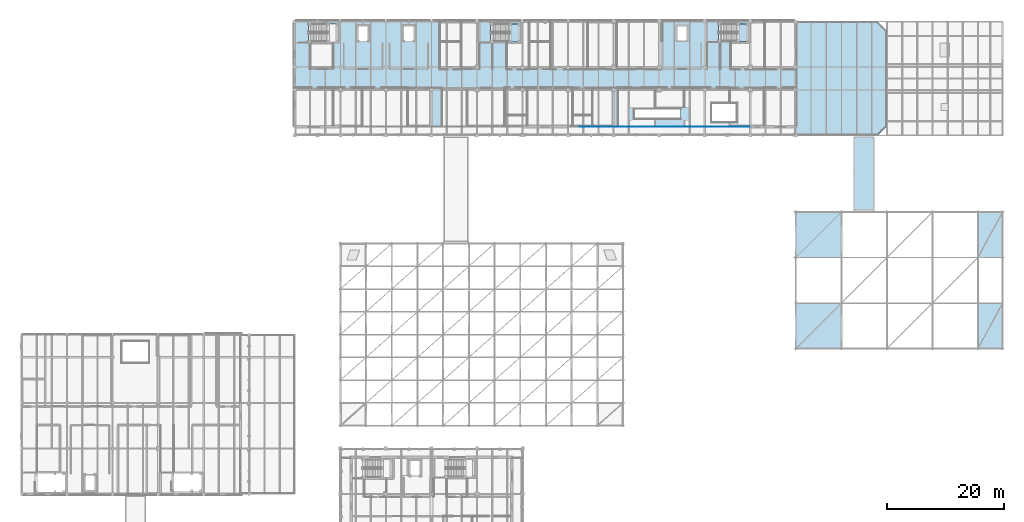
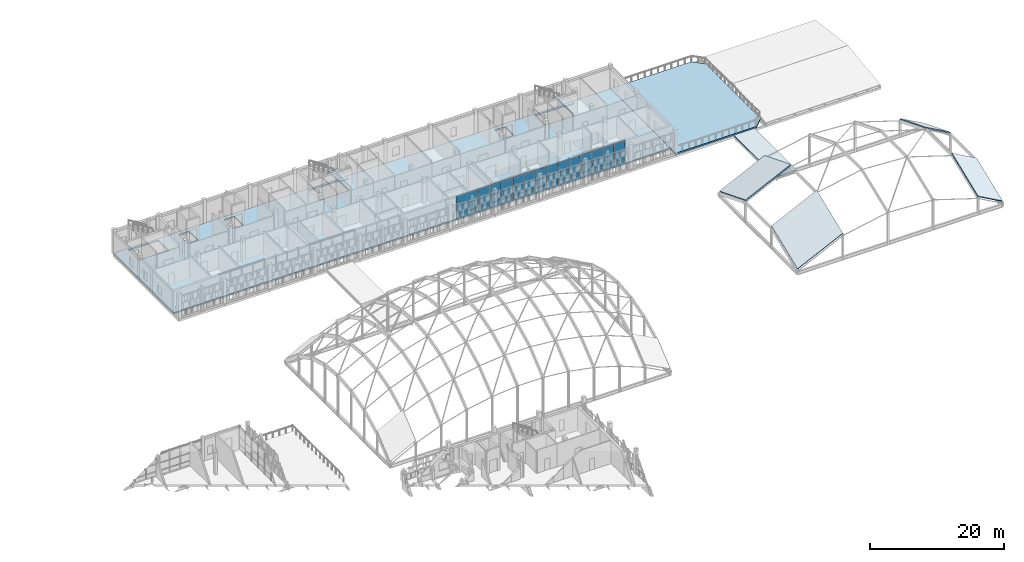
# One storey, part 74 of 119: 45 plates, 9 slabs, 6 elements without a shape of their own.
"""IFC4 building model written with IfcOpenShell, lengths in metres."""

from ifc_helpers import new_model, si_unit, direction, frame, origin, origin_2d, place, context, subcontext, project, spatial, polyline, rectangle, outline, extrude, material, layer, layer_set, type_object, element, aggregate, save


model = new_model("IFC4")

# Units and contexts
model_context = context("Model", 3, precision=1e-05, world=origin(), true_north=direction((0.0, 1.0)))
body_context = subcontext(model_context, "Body", "Model", "MODEL_VIEW")
ifc_project = project(units=[si_unit("LENGTHUNIT", "METRE"), si_unit("AREAUNIT", "SQUARE_METRE"), si_unit("VOLUMEUNIT", "CUBIC_METRE"), si_unit("PLANEANGLEUNIT", "RADIAN"), si_unit("MASSUNIT", "GRAM", prefix="KILO")], contexts=[model_context])

# Site, building, storey
site_placement = place(None, origin())
site = spatial("IfcSite", under=ifc_project, at=site_placement, CompositionType="ELEMENT")
building_placement = place(site_placement, origin())
building = spatial("IfcBuilding", under=site, at=building_placement, Name="Celorna Specialist Clinic", CompositionType="ELEMENT")
storey_placement = place(building_placement, frame((0.0, 0.0, 9.60009765625)))
storey = spatial("IfcBuildingStorey", under=building, at=storey_placement, Name="L02", CompositionType="ELEMENT", Elevation=9.60009765625)

# Curtain wall, plates
ifc_material_1 = material(Name="Thermally broken aluminium and solar-control glass curtain wall", Category="aluminium")
ifc_layer_1 = layer(ifc_material_1, 0.159912109375, Name="Thermally broken aluminium and solar-control glass curtain wall")
ifc_layer_set_1 = layer_set([ifc_layer_1], Name="Thermally broken aluminium and solar-control glass curtain wall")
curtain_wall_type_1 = type_object("IfcCurtainWallType", Name="CW-68", PredefinedType="NOTDEFINED", material=ifc_layer_set_1)
curtain_wall_1_placement = place(storey_placement, origin())
curtain_wall_1 = element("IfcCurtainWall", 1, at=curtain_wall_1_placement, inside=storey, type_object=curtain_wall_type_1, Name="Curtain wall CW-68 #125", PredefinedType="NOTDEFINED")
ifc_material_2 = material(Name="Low-e double glazing", Category="glass")
ifc_layer_2 = layer(ifc_material_2, 0.028076171875, Name="Low-e double glazing")
ifc_layer_set_2 = layer_set([ifc_layer_2], Name="Low-e double glazing")
plate_type_1 = type_object("IfcPlateType", Name="CPN-01", PredefinedType="CURTAIN_PANEL", material=ifc_layer_set_2)
plate_1_placement = place(storey_placement, frame((100.409423828125, 98.0, 0.0498046875), z_axis=(0.0, 0.0, 1.0), x_axis=(-1.0, 0.0, 0.0)))
plate_1 = element("IfcPlate", 2, at=plate_1_placement, type_object=plate_type_1, Name="CW-68 panel 1.1", PredefinedType="CURTAIN_PANEL", context=body_context, shape_type="SweptSolid", body=[
    extrude(rectangle(XDim=1.873046875, YDim=0.028076171875, at=origin_2d()), origin(), (0.0, 0.0, 1.0), 0.824951171875),
])
plate_2_placement = place(storey_placement, frame((100.409423828125, 98.0, 0.9248046875), z_axis=(0.0, 0.0, 1.0), x_axis=(-1.0, 0.0, 0.0)))
plate_2 = element("IfcPlate", 3, at=plate_2_placement, type_object=plate_type_1, Name="CW-68 panel 1.2", PredefinedType="CURTAIN_PANEL", context=body_context, shape_type="SweptSolid", body=[
    extrude(rectangle(XDim=1.873046875, YDim=0.028076171875, at=origin_2d()), origin(), (0.0, 0.0, 1.0), 1.35009765625),
])
plate_3_placement = place(storey_placement, frame((100.409423828125, 98.0, 2.32470703125), z_axis=(0.0, 0.0, 1.0), x_axis=(-1.0, 0.0, 0.0)))
plate_3 = element("IfcPlate", 4, at=plate_3_placement, type_object=plate_type_1, Name="CW-68 panel 1.3", PredefinedType="CURTAIN_PANEL", context=body_context, shape_type="SweptSolid", body=[
    extrude(rectangle(XDim=1.873046875, YDim=0.028076171875, at=origin_2d()), origin(), (0.0, 0.0, 1.0), 1.864990234375),
])
plate_4_placement = place(storey_placement, frame((98.47412109375, 98.0, 0.0498046875), z_axis=(0.0, 0.0, 1.0), x_axis=(-1.0, 0.0, 0.0)))
plate_4 = element("IfcPlate", 5, at=plate_4_placement, type_object=plate_type_1, Name="CW-68 panel 2.1", PredefinedType="CURTAIN_PANEL", context=body_context, shape_type="SweptSolid", body=[
    extrude(rectangle(XDim=1.89794921875, YDim=0.028076171875, at=origin_2d()), origin(), (0.0, 0.0, 1.0), 0.824951171875),
])
plate_5_placement = place(storey_placement, frame((98.47412109375, 98.0, 0.9248046875), z_axis=(0.0, 0.0, 1.0), x_axis=(-1.0, 0.0, 0.0)))
plate_5 = element("IfcPlate", 6, at=plate_5_placement, type_object=plate_type_1, Name="CW-68 panel 2.2", PredefinedType="CURTAIN_PANEL", context=body_context, shape_type="SweptSolid", body=[
    extrude(rectangle(XDim=1.89794921875, YDim=0.028076171875, at=origin_2d()), origin(), (0.0, 0.0, 1.0), 1.35009765625),
])
plate_6_placement = place(storey_placement, frame((98.47412109375, 98.0, 2.32470703125), z_axis=(0.0, 0.0, 1.0), x_axis=(-1.0, 0.0, 0.0)))
plate_6 = element("IfcPlate", 7, at=plate_6_placement, type_object=plate_type_1, Name="CW-68 panel 2.3", PredefinedType="CURTAIN_PANEL", context=body_context, shape_type="SweptSolid", body=[
    extrude(rectangle(XDim=1.89794921875, YDim=0.028076171875, at=origin_2d()), origin(), (0.0, 0.0, 1.0), 1.864990234375),
])
plate_7_placement = place(storey_placement, frame((96.52587890625, 98.0, 0.0498046875), z_axis=(0.0, 0.0, 1.0), x_axis=(-1.0, 0.0, 0.0)))
plate_7 = element("IfcPlate", 8, at=plate_7_placement, type_object=plate_type_1, Name="CW-68 panel 3.1", PredefinedType="CURTAIN_PANEL", context=body_context, shape_type="SweptSolid", body=[
    extrude(rectangle(XDim=1.89794921875, YDim=0.028076171875, at=origin_2d()), origin(), (0.0, 0.0, 1.0), 0.824951171875),
])
plate_8_placement = place(storey_placement, frame((96.52587890625, 98.0, 0.9248046875), z_axis=(0.0, 0.0, 1.0), x_axis=(-1.0, 0.0, 0.0)))
plate_8 = element("IfcPlate", 9, at=plate_8_placement, type_object=plate_type_1, Name="CW-68 panel 3.2", PredefinedType="CURTAIN_PANEL", context=body_context, shape_type="SweptSolid", body=[
    extrude(rectangle(XDim=1.89794921875, YDim=0.028076171875, at=origin_2d()), origin(), (0.0, 0.0, 1.0), 1.35009765625),
])
plate_9_placement = place(storey_placement, frame((96.52587890625, 98.0, 2.32470703125), z_axis=(0.0, 0.0, 1.0), x_axis=(-1.0, 0.0, 0.0)))
plate_9 = element("IfcPlate", 10, at=plate_9_placement, type_object=plate_type_1, Name="CW-68 panel 3.3", PredefinedType="CURTAIN_PANEL", context=body_context, shape_type="SweptSolid", body=[
    extrude(rectangle(XDim=1.89794921875, YDim=0.028076171875, at=origin_2d()), origin(), (0.0, 0.0, 1.0), 1.864990234375),
])
aggregate(curtain_wall_1, [plate_1, plate_2, plate_3, plate_4, plate_5, plate_6, plate_7, plate_8, plate_9])

curtain_wall_2_placement = place(storey_placement, origin())
curtain_wall_2 = element("IfcCurtainWall", 11, at=curtain_wall_2_placement, inside=storey, type_object=curtain_wall_type_1, Name="Curtain wall CW-68 #128", PredefinedType="NOTDEFINED")
plate_10_placement = place(storey_placement, frame((123.8095703125, 98.0, 0.0498046875), z_axis=(0.0, 0.0, 1.0), x_axis=(-1.0, 0.0, 0.0)))
plate_10 = element("IfcPlate", 12, at=plate_10_placement, type_object=plate_type_1, Name="CW-68 panel 1.1", PredefinedType="CURTAIN_PANEL", context=body_context, shape_type="SweptSolid", body=[
    extrude(rectangle(XDim=1.873046875, YDim=0.028076171875, at=origin_2d()), origin(), (0.0, 0.0, 1.0), 0.824951171875),
])
plate_11_placement = place(storey_placement, frame((123.8095703125, 98.0, 0.9248046875), z_axis=(0.0, 0.0, 1.0), x_axis=(-1.0, 0.0, 0.0)))
plate_11 = element("IfcPlate", 13, at=plate_11_placement, type_object=plate_type_1, Name="CW-68 panel 1.2", PredefinedType="CURTAIN_PANEL", context=body_context, shape_type="SweptSolid", body=[
    extrude(rectangle(XDim=1.873046875, YDim=0.028076171875, at=origin_2d()), origin(), (0.0, 0.0, 1.0), 1.35009765625),
])
plate_12_placement = place(storey_placement, frame((123.8095703125, 98.0, 2.32470703125), z_axis=(0.0, 0.0, 1.0), x_axis=(-1.0, 0.0, 0.0)))
plate_12 = element("IfcPlate", 14, at=plate_12_placement, type_object=plate_type_1, Name="CW-68 panel 1.3", PredefinedType="CURTAIN_PANEL", context=body_context, shape_type="SweptSolid", body=[
    extrude(rectangle(XDim=1.873046875, YDim=0.028076171875, at=origin_2d()), origin(), (0.0, 0.0, 1.0), 1.864990234375),
])
plate_13_placement = place(storey_placement, frame((121.8740234375, 98.0, 0.0498046875), z_axis=(0.0, 0.0, 1.0), x_axis=(-1.0, 0.0, 0.0)))
plate_13 = element("IfcPlate", 15, at=plate_13_placement, type_object=plate_type_1, Name="CW-68 panel 2.1", PredefinedType="CURTAIN_PANEL", context=body_context, shape_type="SweptSolid", body=[
    extrude(rectangle(XDim=1.89794921875, YDim=0.028076171875, at=origin_2d()), origin(), (0.0, 0.0, 1.0), 0.824951171875),
])
plate_14_placement = place(storey_placement, frame((121.8740234375, 98.0, 0.9248046875), z_axis=(0.0, 0.0, 1.0), x_axis=(-1.0, 0.0, 0.0)))
plate_14 = element("IfcPlate", 16, at=plate_14_placement, type_object=plate_type_1, Name="CW-68 panel 2.2", PredefinedType="CURTAIN_PANEL", context=body_context, shape_type="SweptSolid", body=[
    extrude(rectangle(XDim=1.89794921875, YDim=0.028076171875, at=origin_2d()), origin(), (0.0, 0.0, 1.0), 1.35009765625),
])
plate_15_placement = place(storey_placement, frame((121.8740234375, 98.0, 2.32470703125), z_axis=(0.0, 0.0, 1.0), x_axis=(-1.0, 0.0, 0.0)))
plate_15 = element("IfcPlate", 17, at=plate_15_placement, type_object=plate_type_1, Name="CW-68 panel 2.3", PredefinedType="CURTAIN_PANEL", context=body_context, shape_type="SweptSolid", body=[
    extrude(rectangle(XDim=1.89794921875, YDim=0.028076171875, at=origin_2d()), origin(), (0.0, 0.0, 1.0), 1.864990234375),
])
plate_16_placement = place(storey_placement, frame((119.926025390625, 98.0, 0.0498046875), z_axis=(0.0, 0.0, 1.0), x_axis=(-1.0, 0.0, 0.0)))
plate_16 = element("IfcPlate", 18, at=plate_16_placement, type_object=plate_type_1, Name="CW-68 panel 3.1", PredefinedType="CURTAIN_PANEL", context=body_context, shape_type="SweptSolid", body=[
    extrude(rectangle(XDim=1.89794921875, YDim=0.028076171875, at=origin_2d()), origin(), (0.0, 0.0, 1.0), 0.824951171875),
])
plate_17_placement = place(storey_placement, frame((119.926025390625, 98.0, 0.9248046875), z_axis=(0.0, 0.0, 1.0), x_axis=(-1.0, 0.0, 0.0)))
plate_17 = element("IfcPlate", 19, at=plate_17_placement, type_object=plate_type_1, Name="CW-68 panel 3.2", PredefinedType="CURTAIN_PANEL", context=body_context, shape_type="SweptSolid", body=[
    extrude(rectangle(XDim=1.89794921875, YDim=0.028076171875, at=origin_2d()), origin(), (0.0, 0.0, 1.0), 1.35009765625),
])
plate_18_placement = place(storey_placement, frame((119.926025390625, 98.0, 2.32470703125), z_axis=(0.0, 0.0, 1.0), x_axis=(-1.0, 0.0, 0.0)))
plate_18 = element("IfcPlate", 20, at=plate_18_placement, type_object=plate_type_1, Name="CW-68 panel 3.3", PredefinedType="CURTAIN_PANEL", context=body_context, shape_type="SweptSolid", body=[
    extrude(rectangle(XDim=1.89794921875, YDim=0.028076171875, at=origin_2d()), origin(), (0.0, 0.0, 1.0), 1.864990234375),
])
plate_19_placement = place(storey_placement, frame((117.990478515625, 98.0, 0.0498046875), z_axis=(0.0, 0.0, 1.0), x_axis=(-1.0, 0.0, 0.0)))
plate_19 = element("IfcPlate", 21, at=plate_19_placement, type_object=plate_type_1, Name="CW-68 panel 4.1", PredefinedType="CURTAIN_PANEL", context=body_context, shape_type="SweptSolid", body=[
    extrude(rectangle(XDim=1.873046875, YDim=0.028076171875, at=origin_2d()), origin(), (0.0, 0.0, 1.0), 0.824951171875),
])
plate_20_placement = place(storey_placement, frame((117.990478515625, 98.0, 0.9248046875), z_axis=(0.0, 0.0, 1.0), x_axis=(-1.0, 0.0, 0.0)))
plate_20 = element("IfcPlate", 22, at=plate_20_placement, type_object=plate_type_1, Name="CW-68 panel 4.2", PredefinedType="CURTAIN_PANEL", context=body_context, shape_type="SweptSolid", body=[
    extrude(rectangle(XDim=1.873046875, YDim=0.028076171875, at=origin_2d()), origin(), (0.0, 0.0, 1.0), 1.35009765625),
])
plate_21_placement = place(storey_placement, frame((117.990478515625, 98.0, 2.32470703125), z_axis=(0.0, 0.0, 1.0), x_axis=(-1.0, 0.0, 0.0)))
plate_21 = element("IfcPlate", 23, at=plate_21_placement, type_object=plate_type_1, Name="CW-68 panel 4.3", PredefinedType="CURTAIN_PANEL", context=body_context, shape_type="SweptSolid", body=[
    extrude(rectangle(XDim=1.873046875, YDim=0.028076171875, at=origin_2d()), origin(), (0.0, 0.0, 1.0), 1.864990234375),
])
aggregate(curtain_wall_2, [plate_10, plate_11, plate_12, plate_13, plate_14, plate_15, plate_16, plate_17, plate_18, plate_19, plate_20, plate_21])

ifc_layer_3 = layer(ifc_material_1, 0.159912109375, Name="Thermally broken aluminium and solar-control glass curtain wall")
ifc_layer_set_3 = layer_set([ifc_layer_3], Name="Thermally broken aluminium and solar-control glass curtain wall")
curtain_wall_type_2 = type_object("IfcCurtainWallType", Name="CW-67", PredefinedType="NOTDEFINED", material=ifc_layer_set_3)
curtain_wall_3_placement = place(storey_placement, origin())
curtain_wall_3 = element("IfcCurtainWall", 24, at=curtain_wall_3_placement, inside=storey, type_object=curtain_wall_type_2, Name="Curtain wall CW-67 #126", PredefinedType="NOTDEFINED")
ifc_material_3 = material(Name="Solar-control triple glazing", Category="glass")
ifc_layer_4 = layer(ifc_material_3, 0.035888671875, Name="Solar-control triple glazing")
ifc_layer_set_4 = layer_set([ifc_layer_4], Name="Solar-control triple glazing")
plate_type_2 = type_object("IfcPlateType", Name="CPN-02", PredefinedType="CURTAIN_PANEL", material=ifc_layer_set_4)
plate_22_placement = place(storey_placement, frame((108.20947265625, 98.0, 0.0498046875), z_axis=(0.0, 0.0, 1.0), x_axis=(-1.0, 0.0, 0.0)))
plate_22 = element("IfcPlate", 25, at=plate_22_placement, type_object=plate_type_2, Name="CW-67 panel 1.1", PredefinedType="CURTAIN_PANEL", context=body_context, shape_type="SweptSolid", body=[
    extrude(rectangle(XDim=1.873046875, YDim=0.035888671875, at=origin_2d()), origin(), (0.0, 0.0, 1.0), 0.824951171875),
])
plate_23_placement = place(storey_placement, frame((108.20947265625, 98.0, 0.9248046875), z_axis=(0.0, 0.0, 1.0), x_axis=(-1.0, 0.0, 0.0)))
plate_23 = element("IfcPlate", 26, at=plate_23_placement, type_object=plate_type_2, Name="CW-67 panel 1.2", PredefinedType="CURTAIN_PANEL", context=body_context, shape_type="SweptSolid", body=[
    extrude(rectangle(XDim=1.873046875, YDim=0.035888671875, at=origin_2d()), origin(), (0.0, 0.0, 1.0), 1.35009765625),
])
plate_24_placement = place(storey_placement, frame((108.20947265625, 98.0, 2.32470703125), z_axis=(0.0, 0.0, 1.0), x_axis=(-1.0, 0.0, 0.0)))
plate_24 = element("IfcPlate", 27, at=plate_24_placement, type_object=plate_type_2, Name="CW-67 panel 1.3", PredefinedType="CURTAIN_PANEL", context=body_context, shape_type="SweptSolid", body=[
    extrude(rectangle(XDim=1.873046875, YDim=0.035888671875, at=origin_2d()), origin(), (0.0, 0.0, 1.0), 1.864990234375),
])
plate_25_placement = place(storey_placement, frame((106.27392578125, 98.0, 0.0498046875), z_axis=(0.0, 0.0, 1.0), x_axis=(-1.0, 0.0, 0.0)))
plate_25 = element("IfcPlate", 28, at=plate_25_placement, type_object=plate_type_2, Name="CW-67 panel 2.1", PredefinedType="CURTAIN_PANEL", context=body_context, shape_type="SweptSolid", body=[
    extrude(rectangle(XDim=1.89794921875, YDim=0.035888671875, at=origin_2d()), origin(), (0.0, 0.0, 1.0), 0.824951171875),
])
plate_26_placement = place(storey_placement, frame((106.27392578125, 98.0, 0.9248046875), z_axis=(0.0, 0.0, 1.0), x_axis=(-1.0, 0.0, 0.0)))
plate_26 = element("IfcPlate", 29, at=plate_26_placement, type_object=plate_type_2, Name="CW-67 panel 2.2", PredefinedType="CURTAIN_PANEL", context=body_context, shape_type="SweptSolid", body=[
    extrude(rectangle(XDim=1.89794921875, YDim=0.035888671875, at=origin_2d()), origin(), (0.0, 0.0, 1.0), 1.35009765625),
])
plate_27_placement = place(storey_placement, frame((106.27392578125, 98.0, 2.32470703125), z_axis=(0.0, 0.0, 1.0), x_axis=(-1.0, 0.0, 0.0)))
plate_27 = element("IfcPlate", 30, at=plate_27_placement, type_object=plate_type_2, Name="CW-67 panel 2.3", PredefinedType="CURTAIN_PANEL", context=body_context, shape_type="SweptSolid", body=[
    extrude(rectangle(XDim=1.89794921875, YDim=0.035888671875, at=origin_2d()), origin(), (0.0, 0.0, 1.0), 1.864990234375),
])
plate_28_placement = place(storey_placement, frame((104.325927734375, 98.0, 0.0498046875), z_axis=(0.0, 0.0, 1.0), x_axis=(-1.0, 0.0, 0.0)))
plate_28 = element("IfcPlate", 31, at=plate_28_placement, type_object=plate_type_2, Name="CW-67 panel 3.1", PredefinedType="CURTAIN_PANEL", context=body_context, shape_type="SweptSolid", body=[
    extrude(rectangle(XDim=1.89794921875, YDim=0.035888671875, at=origin_2d()), origin(), (0.0, 0.0, 1.0), 0.824951171875),
])
plate_29_placement = place(storey_placement, frame((104.325927734375, 98.0, 0.9248046875), z_axis=(0.0, 0.0, 1.0), x_axis=(-1.0, 0.0, 0.0)))
plate_29 = element("IfcPlate", 32, at=plate_29_placement, type_object=plate_type_2, Name="CW-67 panel 3.2", PredefinedType="CURTAIN_PANEL", context=body_context, shape_type="SweptSolid", body=[
    extrude(rectangle(XDim=1.89794921875, YDim=0.035888671875, at=origin_2d()), origin(), (0.0, 0.0, 1.0), 1.35009765625),
])
plate_30_placement = place(storey_placement, frame((104.325927734375, 98.0, 2.32470703125), z_axis=(0.0, 0.0, 1.0), x_axis=(-1.0, 0.0, 0.0)))
plate_30 = element("IfcPlate", 33, at=plate_30_placement, type_object=plate_type_2, Name="CW-67 panel 3.3", PredefinedType="CURTAIN_PANEL", context=body_context, shape_type="SweptSolid", body=[
    extrude(rectangle(XDim=1.89794921875, YDim=0.035888671875, at=origin_2d()), origin(), (0.0, 0.0, 1.0), 1.864990234375),
])
plate_31_placement = place(storey_placement, frame((102.390380859375, 98.0, 0.0498046875), z_axis=(0.0, 0.0, 1.0), x_axis=(-1.0, 0.0, 0.0)))
plate_31 = element("IfcPlate", 34, at=plate_31_placement, type_object=plate_type_2, Name="CW-67 panel 4.1", PredefinedType="CURTAIN_PANEL", context=body_context, shape_type="SweptSolid", body=[
    extrude(rectangle(XDim=1.873046875, YDim=0.035888671875, at=origin_2d()), origin(), (0.0, 0.0, 1.0), 0.824951171875),
])
plate_32_placement = place(storey_placement, frame((102.390380859375, 98.0, 0.9248046875), z_axis=(0.0, 0.0, 1.0), x_axis=(-1.0, 0.0, 0.0)))
plate_32 = element("IfcPlate", 35, at=plate_32_placement, type_object=plate_type_2, Name="CW-67 panel 4.2", PredefinedType="CURTAIN_PANEL", context=body_context, shape_type="SweptSolid", body=[
    extrude(rectangle(XDim=1.873046875, YDim=0.035888671875, at=origin_2d()), origin(), (0.0, 0.0, 1.0), 1.35009765625),
])
plate_33_placement = place(storey_placement, frame((102.390380859375, 98.0, 2.32470703125), z_axis=(0.0, 0.0, 1.0), x_axis=(-1.0, 0.0, 0.0)))
plate_33 = element("IfcPlate", 36, at=plate_33_placement, type_object=plate_type_2, Name="CW-67 panel 4.3", PredefinedType="CURTAIN_PANEL", context=body_context, shape_type="SweptSolid", body=[
    extrude(rectangle(XDim=1.873046875, YDim=0.035888671875, at=origin_2d()), origin(), (0.0, 0.0, 1.0), 1.864990234375),
])
aggregate(curtain_wall_3, [plate_22, plate_23, plate_24, plate_25, plate_26, plate_27, plate_28, plate_29, plate_30, plate_31, plate_32, plate_33])

ifc_layer_5 = layer(ifc_material_1, 0.159912109375, Name="Thermally broken aluminium and solar-control glass curtain wall")
ifc_layer_set_5 = layer_set([ifc_layer_5], Name="Thermally broken aluminium and solar-control glass curtain wall")
curtain_wall_type_3 = type_object("IfcCurtainWallType", Name="CW-32", PredefinedType="NOTDEFINED", material=ifc_layer_set_5)
curtain_wall_4_placement = place(storey_placement, origin())
curtain_wall_4 = element("IfcCurtainWall", 37, at=curtain_wall_4_placement, inside=storey, type_object=curtain_wall_type_3, Name="Curtain wall CW-32 #127", PredefinedType="NOTDEFINED")
ifc_material_4 = material(Name="Glazed polychrome ceramic insulated spandrel")
ifc_layer_6 = layer(ifc_material_4, 0.0439453125, Name="Glazed polychrome ceramic insulated spandrel")
ifc_layer_set_6 = layer_set([ifc_layer_6], Name="Glazed polychrome ceramic insulated spandrel")
plate_type_3 = type_object("IfcPlateType", Name="CPN-03", PredefinedType="CURTAIN_PANEL", material=ifc_layer_set_6)
plate_34_placement = place(storey_placement, frame((116.009521484375, 98.0, 0.0498046875), z_axis=(0.0, 0.0, 1.0), x_axis=(-1.0, 0.0, 0.0)))
plate_34 = element("IfcPlate", 38, at=plate_34_placement, type_object=plate_type_3, Name="CW-32 panel 1.1", PredefinedType="CURTAIN_PANEL", context=body_context, shape_type="SweptSolid", body=[
    extrude(rectangle(XDim=1.873046875, YDim=0.0439453125, at=origin_2d()), origin(), (0.0, 0.0, 1.0), 0.824951171875),
])
plate_35_placement = place(storey_placement, frame((116.009521484375, 98.0, 0.9248046875), z_axis=(0.0, 0.0, 1.0), x_axis=(-1.0, 0.0, 0.0)))
plate_35 = element("IfcPlate", 39, at=plate_35_placement, type_object=plate_type_3, Name="CW-32 panel 1.2", PredefinedType="CURTAIN_PANEL", context=body_context, shape_type="SweptSolid", body=[
    extrude(rectangle(XDim=1.873046875, YDim=0.0439453125, at=origin_2d()), origin(), (0.0, 0.0, 1.0), 1.35009765625),
])
plate_36_placement = place(storey_placement, frame((116.009521484375, 98.0, 2.32470703125), z_axis=(0.0, 0.0, 1.0), x_axis=(-1.0, 0.0, 0.0)))
plate_36 = element("IfcPlate", 40, at=plate_36_placement, type_object=plate_type_3, Name="CW-32 panel 1.3", PredefinedType="CURTAIN_PANEL", context=body_context, shape_type="SweptSolid", body=[
    extrude(rectangle(XDim=1.873046875, YDim=0.0439453125, at=origin_2d()), origin(), (0.0, 0.0, 1.0), 1.864990234375),
])
plate_37_placement = place(storey_placement, frame((114.073974609375, 98.0, 0.0498046875), z_axis=(0.0, 0.0, 1.0), x_axis=(-1.0, 0.0, 0.0)))
plate_37 = element("IfcPlate", 41, at=plate_37_placement, type_object=plate_type_3, Name="CW-32 panel 2.1", PredefinedType="CURTAIN_PANEL", context=body_context, shape_type="SweptSolid", body=[
    extrude(rectangle(XDim=1.89794921875, YDim=0.0439453125, at=origin_2d()), origin(), (0.0, 0.0, 1.0), 0.824951171875),
])
plate_38_placement = place(storey_placement, frame((114.073974609375, 98.0, 0.9248046875), z_axis=(0.0, 0.0, 1.0), x_axis=(-1.0, 0.0, 0.0)))
plate_38 = element("IfcPlate", 42, at=plate_38_placement, type_object=plate_type_3, Name="CW-32 panel 2.2", PredefinedType="CURTAIN_PANEL", context=body_context, shape_type="SweptSolid", body=[
    extrude(rectangle(XDim=1.89794921875, YDim=0.0439453125, at=origin_2d()), origin(), (0.0, 0.0, 1.0), 1.35009765625),
])
plate_39_placement = place(storey_placement, frame((114.073974609375, 98.0, 2.32470703125), z_axis=(0.0, 0.0, 1.0), x_axis=(-1.0, 0.0, 0.0)))
plate_39 = element("IfcPlate", 43, at=plate_39_placement, type_object=plate_type_3, Name="CW-32 panel 2.3", PredefinedType="CURTAIN_PANEL", context=body_context, shape_type="SweptSolid", body=[
    extrude(rectangle(XDim=1.89794921875, YDim=0.0439453125, at=origin_2d()), origin(), (0.0, 0.0, 1.0), 1.864990234375),
])
plate_40_placement = place(storey_placement, frame((112.1259765625, 98.0, 0.0498046875), z_axis=(0.0, 0.0, 1.0), x_axis=(-1.0, 0.0, 0.0)))
plate_40 = element("IfcPlate", 44, at=plate_40_placement, type_object=plate_type_3, Name="CW-32 panel 3.1", PredefinedType="CURTAIN_PANEL", context=body_context, shape_type="SweptSolid", body=[
    extrude(rectangle(XDim=1.89794921875, YDim=0.0439453125, at=origin_2d()), origin(), (0.0, 0.0, 1.0), 0.824951171875),
])
plate_41_placement = place(storey_placement, frame((112.1259765625, 98.0, 0.9248046875), z_axis=(0.0, 0.0, 1.0), x_axis=(-1.0, 0.0, 0.0)))
plate_41 = element("IfcPlate", 45, at=plate_41_placement, type_object=plate_type_3, Name="CW-32 panel 3.2", PredefinedType="CURTAIN_PANEL", context=body_context, shape_type="SweptSolid", body=[
    extrude(rectangle(XDim=1.89794921875, YDim=0.0439453125, at=origin_2d()), origin(), (0.0, 0.0, 1.0), 1.35009765625),
])
plate_42_placement = place(storey_placement, frame((112.1259765625, 98.0, 2.32470703125), z_axis=(0.0, 0.0, 1.0), x_axis=(-1.0, 0.0, 0.0)))
plate_42 = element("IfcPlate", 46, at=plate_42_placement, type_object=plate_type_3, Name="CW-32 panel 3.3", PredefinedType="CURTAIN_PANEL", context=body_context, shape_type="SweptSolid", body=[
    extrude(rectangle(XDim=1.89794921875, YDim=0.0439453125, at=origin_2d()), origin(), (0.0, 0.0, 1.0), 1.864990234375),
])
plate_43_placement = place(storey_placement, frame((110.1904296875, 98.0, 0.0498046875), z_axis=(0.0, 0.0, 1.0), x_axis=(-1.0, 0.0, 0.0)))
plate_43 = element("IfcPlate", 47, at=plate_43_placement, type_object=plate_type_3, Name="CW-32 panel 4.1", PredefinedType="CURTAIN_PANEL", context=body_context, shape_type="SweptSolid", body=[
    extrude(rectangle(XDim=1.873046875, YDim=0.0439453125, at=origin_2d()), origin(), (0.0, 0.0, 1.0), 0.824951171875),
])
plate_44_placement = place(storey_placement, frame((110.1904296875, 98.0, 0.9248046875), z_axis=(0.0, 0.0, 1.0), x_axis=(-1.0, 0.0, 0.0)))
plate_44 = element("IfcPlate", 48, at=plate_44_placement, type_object=plate_type_3, Name="CW-32 panel 4.2", PredefinedType="CURTAIN_PANEL", context=body_context, shape_type="SweptSolid", body=[
    extrude(rectangle(XDim=1.873046875, YDim=0.0439453125, at=origin_2d()), origin(), (0.0, 0.0, 1.0), 1.35009765625),
])
plate_45_placement = place(storey_placement, frame((110.1904296875, 98.0, 2.32470703125), z_axis=(0.0, 0.0, 1.0), x_axis=(-1.0, 0.0, 0.0)))
plate_45 = element("IfcPlate", 49, at=plate_45_placement, type_object=plate_type_3, Name="CW-32 panel 4.3", PredefinedType="CURTAIN_PANEL", context=body_context, shape_type="SweptSolid", body=[
    extrude(rectangle(XDim=1.873046875, YDim=0.0439453125, at=origin_2d()), origin(), (0.0, 0.0, 1.0), 1.864990234375),
])
aggregate(curtain_wall_4, [plate_34, plate_35, plate_36, plate_37, plate_38, plate_39, plate_40, plate_41, plate_42, plate_43, plate_44, plate_45])

# Slabs
ifc_material_5 = material(Name="Concrete C35/45", Category="concrete")
ifc_layer_7 = layer(ifc_material_5, 0.260009765625, Name="Concrete C35/45")
ifc_layer_set_7 = layer_set([ifc_layer_7], Name="Concrete C35/45")
slab_type_1 = type_object("IfcSlabType", Name="SL-07", PredefinedType="FLOOR", material=ifc_layer_set_7)
slab_1_placement = place(storey_placement, frame((0.0, 0.0, -0.260009765625)))
element("IfcSlab", 50, at=slab_1_placement, inside=storey, type_object=slab_type_1, Name="Cardiology Rehabilitation Terrace", PredefinedType="FLOOR", context=body_context, shape_type="SweptSolid", body=[
    extrude(outline(polyline([(132.60009765625, 96.5), (146.60009765625, 96.5), (148.199951171875, 98.10009765625), (148.199951171875, 114.39990234375), (146.60009765625, 116.0), (132.60009765625, 116.0), (132.60009765625, 96.5)])), origin(), (0.0, 0.0, 1.0), 0.260009765625),
])
ifc_layer_8 = layer(ifc_material_5, 0.260009765625, Name="Concrete C35/45")
ifc_layer_set_8 = layer_set([ifc_layer_8], Name="Concrete C35/45")
slab_type_2 = type_object("IfcSlabType", Name="SL-08", PredefinedType="FLOOR", material=ifc_layer_set_8)
slab_2_placement = place(storey_placement, frame((0.0, 0.0, -0.260009765625)))
element("IfcSlab", 51, at=slab_2_placement, inside=storey, type_object=slab_type_2, Name="V4 L02 structural slab SL-08", PredefinedType="FLOOR", context=body_context, shape_type="SweptSolid", body=[
    extrude(outline(polyline([(132.60009765625, 98.0), (132.60009765625, 116.0), (46.800048828125, 116.0), (46.800048828125, 98.0), (132.60009765625, 98.0)]), holes=[polyline([(49.139892578125, 112.52001953125), (54.239990234375, 112.52001953125), (54.239990234375, 115.6201171875), (49.139892578125, 115.6201171875), (49.139892578125, 112.52001953125)]), polyline([(80.340087890625, 112.52001953125), (85.43994140625, 112.52001953125), (85.43994140625, 115.6201171875), (80.340087890625, 115.6201171875), (80.340087890625, 112.52001953125)]), polyline([(119.340087890625, 112.6201171875), (124.43994140625, 112.6201171875), (124.43994140625, 115.6201171875), (119.340087890625, 115.6201171875), (119.340087890625, 112.6201171875)]), polyline([(104.89990234375, 99.3701171875), (112.8349609375, 99.3701171875), (112.8349609375, 101.030029296875), (104.89990234375, 101.030029296875), (104.89990234375, 99.3701171875)]), polyline([(57.594970703125, 112.695068359375), (59.405029296875, 112.695068359375), (59.405029296875, 115.304931640625), (57.594970703125, 115.304931640625), (57.594970703125, 112.695068359375)]), polyline([(65.39501953125, 112.695068359375), (67.205078125, 112.695068359375), (67.205078125, 115.304931640625), (65.39501953125, 115.304931640625), (65.39501953125, 112.695068359375)]), polyline([(112.219970703125, 112.719970703125), (113.97998046875, 112.719970703125), (113.97998046875, 115.280029296875), (112.219970703125, 115.280029296875), (112.219970703125, 112.719970703125)]), polyline([(118.199951171875, 98.800048828125), (122.39990234375, 98.800048828125), (122.39990234375, 102.0), (118.199951171875, 102.0), (118.199951171875, 98.800048828125)])]), origin(), (0.0, 0.0, 1.0), 0.260009765625),
])

# Stair, slab
stair_type_1 = type_object("IfcStairType", Name="ST-01", PredefinedType="HALF_TURN_STAIR", material=ifc_material_5)
stair_1_placement = place(storey_placement, origin())
stair_1 = element("IfcStair", 52, at=stair_1_placement, inside=storey, type_object=stair_type_1, Name="L02 Protected exit stair ST-02", PredefinedType="HALF_TURN_STAIR")
ifc_layer_9 = layer(ifc_material_5, 0.199951171875, Name="Concrete C35/45")
ifc_layer_set_9 = layer_set([ifc_layer_9], Name="Concrete C35/45")
slab_type_3 = type_object("IfcSlabType", Name="SL-11", PredefinedType="LANDING", material=ifc_layer_set_9)
slab_3_placement = place(storey_placement, frame((0.0, 0.0, 2.0498046875)))
slab_3 = element("IfcSlab", 53, at=slab_3_placement, type_object=slab_type_3, Name="ST-02 landing 1", PredefinedType="LANDING", context=body_context, shape_type="SweptSolid", body=[
    extrude(outline(polyline([(83.699951171875, 112.52001953125), (85.43994140625, 112.52001953125), (85.43994140625, 115.6201171875), (83.699951171875, 115.6201171875), (83.699951171875, 112.52001953125)])), origin(), (0.0, 0.0, 1.0), 0.2001953125),
])
aggregate(stair_1, [slab_3])

stair_type_2 = type_object("IfcStairType", Name="ST-04", PredefinedType="HALF_TURN_STAIR", material=ifc_material_5)
stair_2_placement = place(storey_placement, origin())
stair_2 = element("IfcStair", 54, at=stair_2_placement, inside=storey, type_object=stair_type_2, Name="L02 Protected exit stair ST-03", PredefinedType="HALF_TURN_STAIR")
slab_4_placement = place(storey_placement, frame((0.0, 0.0, 2.0498046875)))
slab_4 = element("IfcSlab", 55, at=slab_4_placement, type_object=slab_type_3, Name="ST-03 landing 1", PredefinedType="LANDING", context=body_context, shape_type="SweptSolid", body=[
    extrude(outline(polyline([(122.699951171875, 112.6201171875), (124.43994140625, 112.6201171875), (124.43994140625, 115.6201171875), (122.699951171875, 115.6201171875), (122.699951171875, 112.6201171875)])), origin(), (0.0, 0.0, 1.0), 0.2001953125),
])
aggregate(stair_2, [slab_4])

# Slabs
ifc_material_6 = material(Name="Glulam GL28h insulated roof deck", Category="wood")
ifc_layer_10 = layer(ifc_material_6, 0.179931640625, Name="Glulam GL28h insulated roof deck")
ifc_layer_set_10 = layer_set([ifc_layer_10], Name="Glulam GL28h insulated roof deck")
slab_type_4 = type_object("IfcSlabType", Name="SL-12", PredefinedType="ROOF", material=ifc_layer_set_10)
slab_5_placement = place(storey_placement, frame((132.60009765625, 60.0, 1.02978515625), z_axis=(-0.409532421146, -0.337466012877, 0.847584736875), x_axis=(0.900403896802, 4.030645e-06, 0.435054965043)))
element("IfcSlab", 56, at=slab_5_placement, inside=storey, type_object=slab_type_4, Name="GSH-V3 translational gridshell roof facet 1-1", PredefinedType="ROOF", context=body_context, shape_type="SweptSolid", body=[
    extrude(outline(polyline([(0.0, 0.0), (8.662609177339029, 0.0), (10.013690215036148, 8.286089421266889), (1.3511872522881938, 8.28616360438758), (0.0, 0.0)])), origin(), (0.0, 0.0, -1.0), 0.179931640625),
])
slab_6_placement = place(storey_placement, frame((132.60009765625, 75.60009765625, 4.135498046875), z_axis=(-0.409530961293, 0.337475372858, 0.847581715504), x_axis=(0.900405154124, 4.030791e-06, 0.435052362838)))
element("IfcSlab", 57, at=slab_6_placement, inside=storey, type_object=slab_type_4, Name="GSH-V3 translational gridshell roof facet 1-3", PredefinedType="ROOF", context=body_context, shape_type="SweptSolid", body=[
    extrude(outline(polyline([(0.0, 0.0), (8.6625029630656, -2.220446049250313e-16), (7.311492885044143, 8.285871171986265), (-1.3511162919772273, 8.28594535807412), (0.0, 0.0)])), origin(), (0.0, 0.0, -1.0), 0.179931640625),
])
slab_7_placement = place(storey_placement, frame((163.800048828125, 60.0, 3.382080078125), z_axis=(0.461594773125, -0.328153723184, 0.824163454288), x_axis=(0.872477474798, 0.0, -0.488654331784)))
element("IfcSlab", 58, at=slab_7_placement, inside=storey, type_object=slab_type_4, Name="GSH-V3 translational gridshell roof facet 5-1", PredefinedType="ROOF", context=body_context, shape_type="SweptSolid", body=[
    extrude(outline(polyline([(0.0, 0.0), (4.813821895917329, 1.1102230246251565e-16), (3.2962018386370913, 8.257302443405427), (-1.5176200572802372, 8.257302443405427), (0.0, 0.0)])), origin(), (0.0, 0.0, -1.0), 0.179931640625),
])
slab_8_placement = place(storey_placement, frame((163.800048828125, 75.60009765625, 6.48779296875), z_axis=(0.461593217244, 0.328162888548, 0.824160676309), x_axis=(0.872477474798, 0.0, -0.488654331784)))
element("IfcSlab", 59, at=slab_8_placement, inside=storey, type_object=slab_type_4, Name="GSH-V3 translational gridshell roof facet 5-3", PredefinedType="ROOF", context=body_context, shape_type="SweptSolid", body=[
    extrude(outline(polyline([(0.0, 0.0), (4.813821895917329, -2.220446049250313e-16), (6.331441953197565, 8.257071822618595), (1.5176200572802372, 8.257071822618597), (0.0, 0.0)])), origin(), (0.0, 0.0, -1.0), 0.179931640625),
])
ifc_material_7 = material(Name="Precast concrete C35/45", Category="concrete")
ifc_layer_11 = layer(ifc_material_7, 0.139892578125, Name="Precast concrete C35/45")
ifc_layer_set_11 = layer_set([ifc_layer_11], Name="Precast concrete C35/45")
slab_type_5 = type_object("IfcSlabType", Name="SL-14", PredefinedType="ROOF", material=ifc_layer_set_11)
slab_9_placement = place(storey_placement, frame((0.0, 0.0, -0.14013671875)))
element("IfcSlab", 60, at=slab_9_placement, inside=storey, type_object=slab_type_5, Name="Cloister bridge BR-05 roof slab", PredefinedType="ROOF", context=body_context, shape_type="SweptSolid", body=[
    extrude(outline(polyline([(142.5, 83.659912109375), (146.10009765625, 83.659912109375), (146.10009765625, 96.199951171875), (142.5, 96.199951171875), (142.5, 83.659912109375)])), origin(), (0.0, 0.0, 1.0), 0.14013671875),
])

save(model, "model.ifc")
